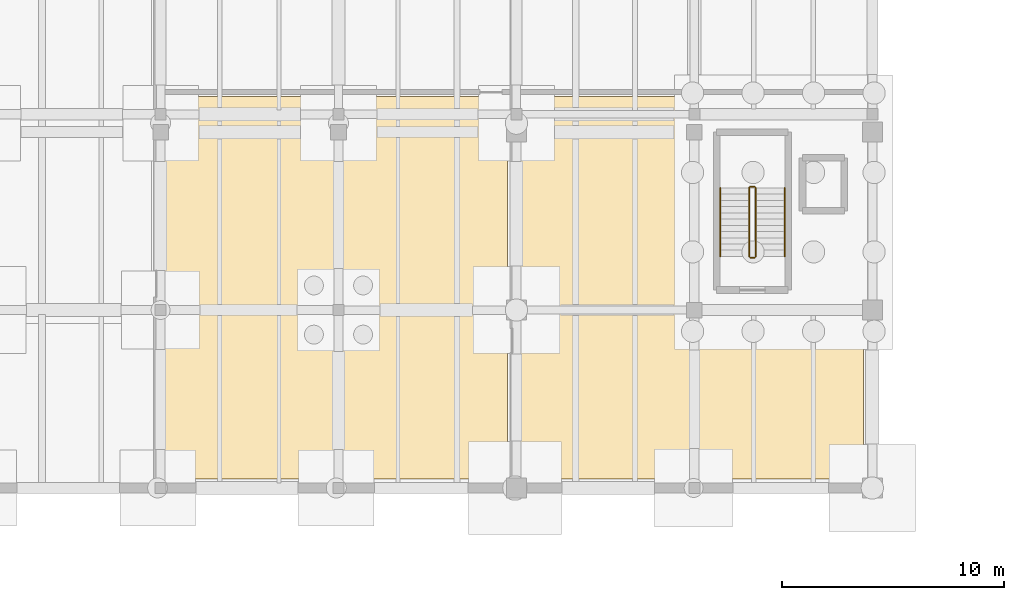
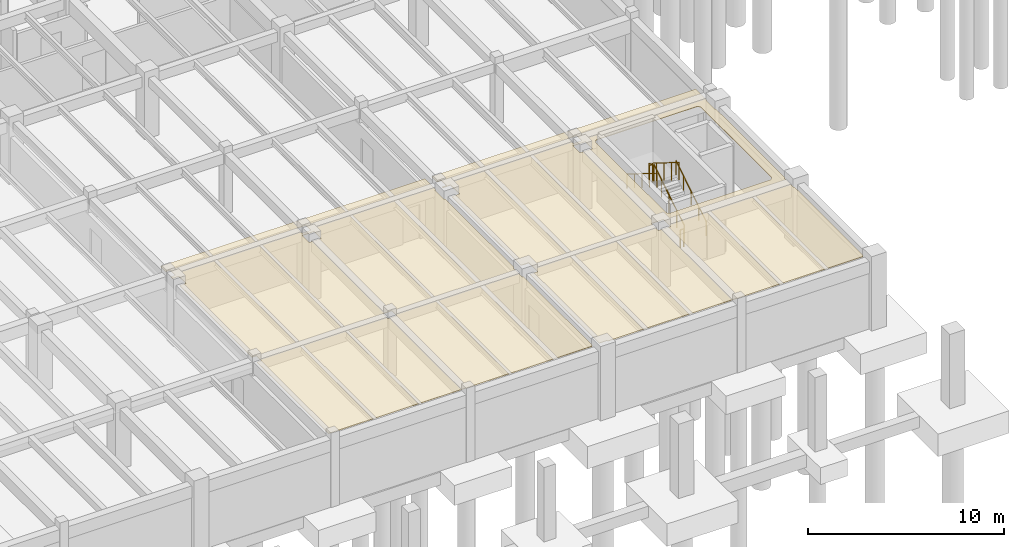
# One storey, part 21 of 25: 6 railings, 2 coverings.
"""IFC4 building model written with IfcOpenShell, lengths in metres."""

from ifc_helpers import new_model, si_unit, direction, frame, origin, origin_2d, place, context, subcontext, project, spatial, polyline, circle, outline, extrude, material, layer, layer_set, type_object, element, save


model = new_model("IFC4")

# Units and contexts
model_context = context("Model", 3, precision=1e-05, world=origin(), true_north=direction((0.0, 1.0)))
body_context = subcontext(model_context, "Body", "Model", "MODEL_VIEW")
ifc_project = project(units=[si_unit("LENGTHUNIT", "METRE"), si_unit("AREAUNIT", "SQUARE_METRE"), si_unit("VOLUMEUNIT", "CUBIC_METRE"), si_unit("PLANEANGLEUNIT", "RADIAN"), si_unit("MASSUNIT", "GRAM", prefix="KILO")], contexts=[model_context])

# Site, building, storey
site_placement = place(None, origin())
site = spatial("IfcSite", under=ifc_project, at=site_placement, CompositionType="ELEMENT")
building_placement = place(site_placement, origin())
building = spatial("IfcBuilding", under=site, at=building_placement, Name="Tlaxcora Railside Police Headquarters", CompositionType="ELEMENT")
storey_placement = place(building_placement, frame((0.0, 0.0, -4.199951171875)))
storey = spatial("IfcBuildingStorey", under=building, at=storey_placement, Name="B1", CompositionType="ELEMENT", Elevation=-4.199951171875)

# Coverings
ifc_material_1 = material(Name="Mineral-fibre acoustic ceiling tile")
ifc_layer = layer(ifc_material_1, 0.034912109375, Name="Mineral-fibre acoustic ceiling tile")
ifc_layer_set = layer_set([ifc_layer], Name="Mineral-fibre acoustic ceiling tile")
covering_type = type_object("IfcCoveringType", Name="Acoustic Suspended Ceiling CLG-01", PredefinedType="CEILING", material=ifc_layer_set)
covering_1_placement = place(storey_placement, frame((0.0, 0.0, 3.68505859375)))
element("IfcCovering", 1, at=covering_1_placement, inside=storey, type_object=covering_type, Name="Tactical Armoury Vault suspended ceiling", PredefinedType="CEILING", context=body_context, shape_type="SweptSolid", body=[
    extrude(outline(polyline([(70.360107421875, 59.639892578125), (70.0, 59.639892578125), (70.0, 52.260009765625), (70.260009765625, 52.260009765625), (70.260009765625, 51.739990234375), (70.0, 51.739990234375), (70.0, 44.39990234375), (85.5400390625, 44.39990234375), (85.5400390625, 44.4599609375), (85.60009765625, 44.4599609375), (85.60009765625, 51.5400390625), (85.5400390625, 51.5400390625), (85.5400390625, 52.4599609375), (85.60009765625, 52.4599609375), (85.60009765625, 59.5400390625), (85.5400390625, 59.5400390625), (85.5400390625, 60.4599609375), (85.60009765625, 60.4599609375), (85.60009765625, 61.60009765625), (70.0, 61.60009765625), (70.0, 61.06005859375), (70.260009765625, 61.06005859375), (70.260009765625, 60.5400390625), (70.0, 60.5400390625), (70.0, 60.360107421875), (70.360107421875, 60.360107421875), (70.360107421875, 59.639892578125)]), holes=[polyline([(78.260009765625, 52.260009765625), (78.260009765625, 51.739990234375), (77.739990234375, 51.739990234375), (77.739990234375, 52.260009765625), (78.260009765625, 52.260009765625)]), polyline([(78.360107421875, 59.639892578125), (77.639892578125, 59.639892578125), (77.639892578125, 60.360107421875), (78.360107421875, 60.360107421875), (78.360107421875, 59.639892578125)]), polyline([(77.739990234375, 60.5400390625), (77.739990234375, 61.06005859375), (78.260009765625, 61.06005859375), (78.260009765625, 60.5400390625), (77.739990234375, 60.5400390625)])]), origin(), (0.0, 0.0, 1.0), 0.034912109375),
])
covering_2_placement = place(storey_placement, frame((0.0, 0.0, 3.68505859375)))
element("IfcCovering", 2, at=covering_2_placement, inside=storey, type_object=covering_type, Name="Quartermaster Issue and Munitions Store suspended ceiling", PredefinedType="CEILING", context=body_context, shape_type="SweptSolid", body=[
    extrude(outline(polyline([(86.0, 59.5400390625), (86.0, 52.4599609375), (86.4599609375, 52.4599609375), (86.4599609375, 51.5400390625), (86.0, 51.5400390625), (86.0, 44.4599609375), (86.4599609375, 44.4599609375), (86.4599609375, 44.39990234375), (101.5400390625, 44.39990234375), (101.5400390625, 44.4599609375), (101.60009765625, 44.4599609375), (101.60009765625, 51.5400390625), (101.5400390625, 51.5400390625), (101.5400390625, 52.4599609375), (101.60009765625, 52.4599609375), (101.60009765625, 59.5400390625), (101.5400390625, 59.5400390625), (101.5400390625, 60.4599609375), (101.60009765625, 60.4599609375), (101.60009765625, 61.60009765625), (86.0, 61.60009765625), (86.0, 61.06005859375), (86.260009765625, 61.06005859375), (86.260009765625, 60.5400390625), (86.0, 60.5400390625), (86.0, 60.4599609375), (86.4599609375, 60.4599609375), (86.4599609375, 59.5400390625), (86.0, 59.5400390625)]), holes=[polyline([(100.993896484375, 52.79638671875), (100.98291015625, 52.77783203125), (100.97021484375, 52.760498046875), (100.95556640625, 52.744384765625), (100.939697265625, 52.72998046875), (100.922119140625, 52.717041015625), (100.90380859375, 52.7060546875), (100.88427734375, 52.69677734375), (100.864013671875, 52.689453125), (100.843017578125, 52.68408203125), (100.821533203125, 52.68115234375), (100.800048828125, 52.679931640625), (95.0, 52.679931640625), (94.978515625, 52.68115234375), (94.95703125, 52.68408203125), (94.93603515625, 52.689453125), (94.915771484375, 52.69677734375), (94.896240234375, 52.7060546875), (94.877685546875, 52.717041015625), (94.8603515625, 52.72998046875), (94.844482421875, 52.744384765625), (94.829833984375, 52.760498046875), (94.817138671875, 52.77783203125), (94.805908203125, 52.79638671875), (94.796630859375, 52.81591796875), (94.78955078125, 52.836181640625), (94.7841796875, 52.857177734375), (94.781005859375, 52.87841796875), (94.780029296875, 52.89990234375), (94.780029296875, 60.0), (94.781005859375, 60.021484375), (94.7841796875, 60.04296875), (94.78955078125, 60.06396484375), (94.796630859375, 60.084228515625), (94.805908203125, 60.103759765625), (94.817138671875, 60.122314453125), (94.829833984375, 60.1396484375), (94.844482421875, 60.155517578125), (94.8603515625, 60.170166015625), (94.877685546875, 60.182861328125), (94.896240234375, 60.194091796875), (94.915771484375, 60.203369140625), (94.93603515625, 60.21044921875), (94.95703125, 60.2158203125), (94.978515625, 60.218994140625), (95.0, 60.219970703125), (100.800048828125, 60.219970703125), (100.821533203125, 60.218994140625), (100.843017578125, 60.2158203125), (100.864013671875, 60.21044921875), (100.88427734375, 60.203369140625), (100.90380859375, 60.194091796875), (100.922119140625, 60.182861328125), (100.939697265625, 60.170166015625), (100.95556640625, 60.155517578125), (100.97021484375, 60.1396484375), (100.98291015625, 60.122314453125), (100.993896484375, 60.103759765625), (101.00341796875, 60.084228515625), (101.010498046875, 60.06396484375), (101.015869140625, 60.04296875), (101.018798828125, 60.021484375), (101.02001953125, 60.0), (101.02001953125, 52.89990234375), (101.018798828125, 52.87841796875), (101.015869140625, 52.857177734375), (101.010498046875, 52.836181640625), (101.00341796875, 52.81591796875), (100.993896484375, 52.79638671875)]), polyline([(94.360107421875, 52.360107421875), (94.360107421875, 51.639892578125), (93.639892578125, 51.639892578125), (93.639892578125, 52.360107421875), (94.360107421875, 52.360107421875)]), polyline([(94.360107421875, 59.639892578125), (93.639892578125, 59.639892578125), (93.639892578125, 60.360107421875), (94.360107421875, 60.360107421875), (94.360107421875, 59.639892578125)]), polyline([(93.739990234375, 60.5400390625), (93.739990234375, 61.06005859375), (94.260009765625, 61.06005859375), (94.260009765625, 60.5400390625), (93.739990234375, 60.5400390625)])]), origin(), (0.0, 0.0, 1.0), 0.034912109375),
])

# Railings
ifc_material_2 = material(Name="Steel ASTM A992 Grade 50", Category="steel")
railing_type_1 = type_object("IfcRailingType", Name="Stair Well Guard Balustrade GR-02", PredefinedType="BALUSTRADE", material=ifc_material_2)
railing_1_placement = place(storey_placement, frame((96.760009765625, 54.409912109375, 0.175048828125)))
element("IfcRailing", 3, at=railing_1_placement, inside=storey, type_object=railing_type_1, Name="B1 ST9 stair guard 1", PredefinedType="BALUSTRADE", context=body_context, shape_type="SweptSolid", body=[
    extrude(circle(Radius=0.02392578125, at=origin_2d()), frame((0.0, 0.0, 1.09619140625), z_axis=(0.0, 0.848028513186, 0.529950602248), x_axis=(-1.0, 0.0, 0.0)), (0.0, 0.0, 1.0), 3.632080078125),
    extrude(circle(Radius=0.02099609375, at=origin_2d()), origin(), (0.0, 0.0, 1.0), 1.072021484375),
    extrude(circle(Radius=0.02099609375, at=origin_2d()), frame((0.0, 0.77001953125, 0.481201171875)), (0.0, 0.0, 1.0), 1.072021484375),
    extrude(circle(Radius=0.02099609375, at=origin_2d()), frame((0.0, 1.5400390625, 0.96240234375)), (0.0, 0.0, 1.0), 1.072021484375),
    extrude(circle(Radius=0.02099609375, at=origin_2d()), frame((0.0, 2.31005859375, 1.443603515625)), (0.0, 0.0, 1.0), 1.072021484375),
    extrude(circle(Radius=0.02099609375, at=origin_2d()), frame((0.0, 3.080078125, 1.9248046875)), (0.0, 0.0, 1.0), 1.072021484375),
])
railing_2_placement = place(storey_placement, frame((96.7099609375, 57.5400390625, 2.099853515625)))
element("IfcRailing", 4, at=railing_2_placement, inside=storey, type_object=railing_type_1, Name="B1 ST9 stair guard 2", PredefinedType="BALUSTRADE", context=body_context, shape_type="SweptSolid", body=[
    extrude(circle(Radius=0.02392578125, at=origin_2d()), frame((0.0, 0.0, 1.09619140625), z_axis=(-1.0, 0.0, 0.0), x_axis=(0.0, -1.0, 0.0)), (0.0, 0.0, 1.0), 0.199951171875),
    extrude(circle(Radius=0.02099609375, at=origin_2d()), origin(), (0.0, 0.0, 1.0), 1.072021484375),
    extrude(circle(Radius=0.02099609375, at=origin_2d()), frame((-0.199951171875, 0.0, 0.0)), (0.0, 0.0, 1.0), 1.072021484375),
])
railing_3_placement = place(storey_placement, frame((96.4599609375, 57.489990234375, 2.27490234375)))
element("IfcRailing", 5, at=railing_3_placement, inside=storey, type_object=railing_type_1, Name="B1 ST9 stair guard 3", PredefinedType="BALUSTRADE", context=body_context, shape_type="SweptSolid", body=[
    extrude(circle(Radius=0.02392578125, at=origin_2d()), frame((0.0, 0.0, 1.09619140625), z_axis=(0.0, -0.847998304005, 0.529998940003), x_axis=(1.0, 0.0, 0.0)), (0.0, 0.0, 1.0), 3.632080078125),
    extrude(circle(Radius=0.02099609375, at=origin_2d()), origin(), (0.0, 0.0, 1.0), 1.072021484375),
    extrude(circle(Radius=0.02099609375, at=origin_2d()), frame((0.0, -0.77001953125, 0.481201171875)), (0.0, 0.0, 1.0), 1.072021484375),
    extrude(circle(Radius=0.02099609375, at=origin_2d()), frame((0.0, -1.5400390625, 0.96240234375)), (0.0, 0.0, 1.0), 1.072021484375),
    extrude(circle(Radius=0.02099609375, at=origin_2d()), frame((0.0, -2.31005859375, 1.44384765625)), (0.0, 0.0, 1.0), 1.072021484375),
    extrude(circle(Radius=0.02099609375, at=origin_2d()), frame((0.0, -3.080078125, 1.925048828125)), (0.0, 0.0, 1.0), 1.072021484375),
])
railing_4_placement = place(storey_placement, frame((96.7099609375, 54.360107421875, 0.0)))
element("IfcRailing", 6, at=railing_4_placement, inside=storey, type_object=railing_type_1, Name="B1 ST9 stair guard 4", PredefinedType="BALUSTRADE", context=body_context, shape_type="SweptSolid", body=[
    extrude(circle(Radius=0.02392578125, at=origin_2d()), frame((0.0, 0.0, 1.09619140625), z_axis=(-1.0, 0.0, 0.0), x_axis=(0.0, -1.0, 0.0)), (0.0, 0.0, 1.0), 0.199951171875),
    extrude(circle(Radius=0.02099609375, at=origin_2d()), origin(), (0.0, 0.0, 1.0), 1.072021484375),
    extrude(circle(Radius=0.02099609375, at=origin_2d()), frame((-0.199951171875, 0.0, 0.0)), (0.0, 0.0, 1.0), 1.072021484375),
])
railing_type_2 = type_object("IfcRailingType", Name="Stair and Ramp Handrail HR-01", PredefinedType="HANDRAIL", material=ifc_material_2)
railing_5_placement = place(storey_placement, frame((98.06005859375, 54.409912109375, 0.175048828125)))
element("IfcRailing", 7, at=railing_5_placement, inside=storey, type_object=railing_type_2, Name="B1 ST9 stair handrail 1", PredefinedType="HANDRAIL", context=body_context, shape_type="SweptSolid", body=[
    extrude(circle(Radius=0.02392578125, at=origin_2d()), frame((0.0, 0.0, 0.8759765625), z_axis=(0.0, 0.848028513186, 0.529950602248), x_axis=(-1.0, 0.0, 0.0)), (0.0, 0.0, 1.0), 3.632080078125),
    extrude(circle(Radius=0.02099609375, at=origin_2d()), origin(), (0.0, 0.0, 1.0), 0.851806640625),
    extrude(circle(Radius=0.02099609375, at=origin_2d()), frame((0.0, 0.77001953125, 0.481201171875)), (0.0, 0.0, 1.0), 0.851806640625),
    extrude(circle(Radius=0.02099609375, at=origin_2d()), frame((0.0, 1.5400390625, 0.96240234375)), (0.0, 0.0, 1.0), 0.851806640625),
    extrude(circle(Radius=0.02099609375, at=origin_2d()), frame((0.0, 2.31005859375, 1.443603515625)), (0.0, 0.0, 1.0), 0.851806640625),
    extrude(circle(Radius=0.02099609375, at=origin_2d()), frame((0.0, 3.080078125, 1.9248046875)), (0.0, 0.0, 1.0), 0.851806640625),
])
railing_6_placement = place(storey_placement, frame((95.159912109375, 57.489990234375, 2.27490234375)))
element("IfcRailing", 8, at=railing_6_placement, inside=storey, type_object=railing_type_2, Name="B1 ST9 stair handrail 2", PredefinedType="HANDRAIL", context=body_context, shape_type="SweptSolid", body=[
    extrude(circle(Radius=0.02392578125, at=origin_2d()), frame((0.0, 0.0, 0.8759765625), z_axis=(0.0, -0.847998304005, 0.529998940003), x_axis=(1.0, 0.0, 0.0)), (0.0, 0.0, 1.0), 3.632080078125),
    extrude(circle(Radius=0.02099609375, at=origin_2d()), origin(), (0.0, 0.0, 1.0), 0.851806640625),
    extrude(circle(Radius=0.02099609375, at=origin_2d()), frame((0.0, -0.77001953125, 0.481201171875)), (0.0, 0.0, 1.0), 0.851806640625),
    extrude(circle(Radius=0.02099609375, at=origin_2d()), frame((0.0, -1.5400390625, 0.96240234375)), (0.0, 0.0, 1.0), 0.851806640625),
    extrude(circle(Radius=0.02099609375, at=origin_2d()), frame((0.0, -2.31005859375, 1.44384765625)), (0.0, 0.0, 1.0), 0.851806640625),
    extrude(circle(Radius=0.02099609375, at=origin_2d()), frame((0.0, -3.080078125, 1.925048828125)), (0.0, 0.0, 1.0), 0.851806640625),
])

save(model, "model.ifc")
